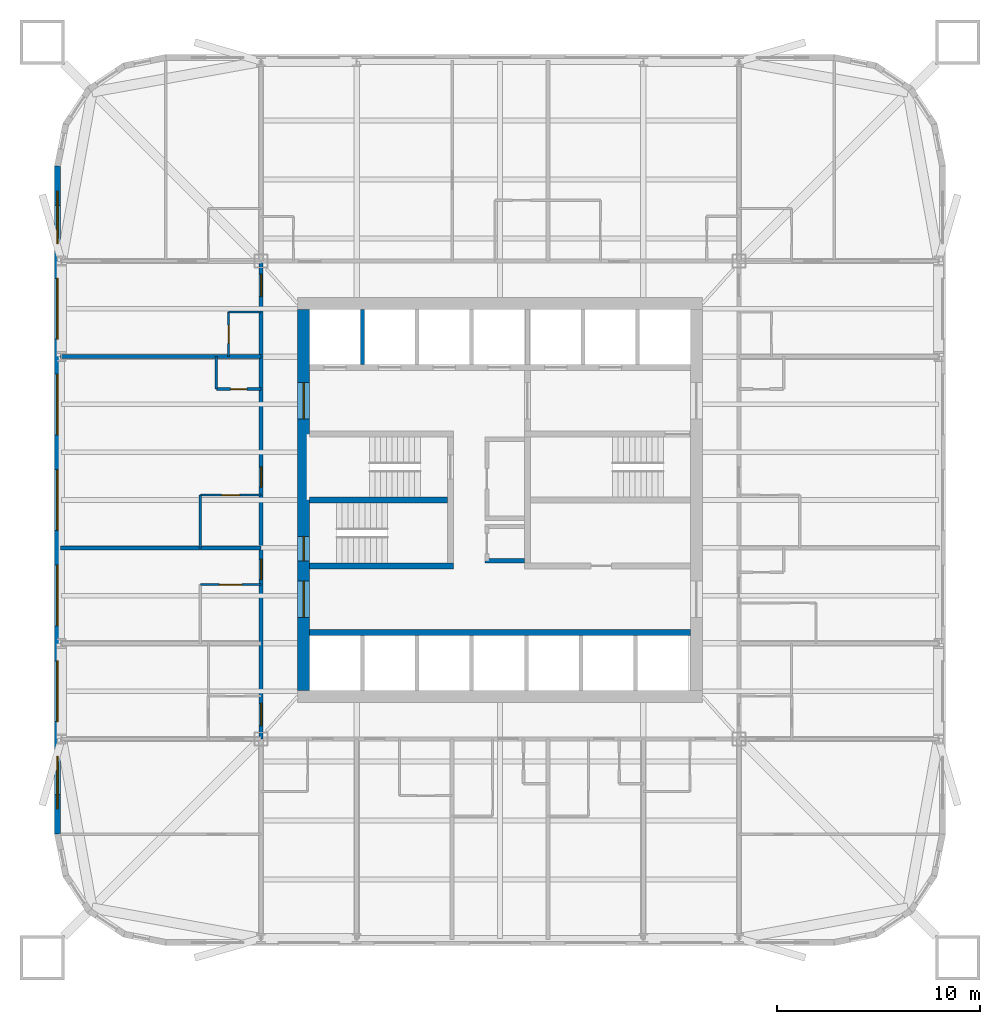
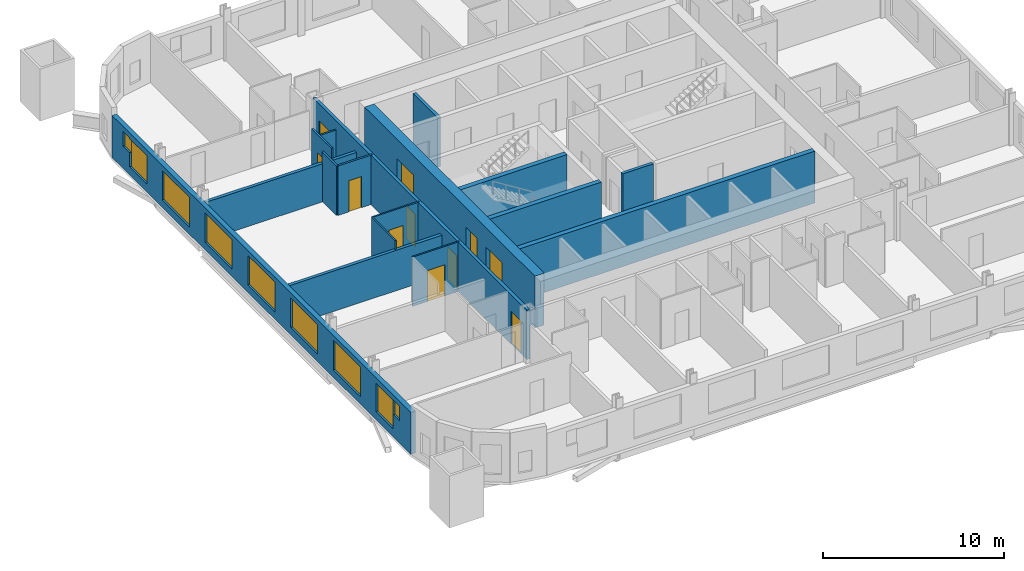
# One storey, part 4 of 10: 17 walls, 11 doors, 9 windows, 20 openings.
"""IFC4 building model written with IfcOpenShell, lengths in metres."""

from ifc_helpers import new_model, si_unit, direction, frame, frame_2d, origin, place, context, subcontext, project, spatial, rectangle, extrude, material, layer, layer_set, type_object, element, fill, save


model = new_model("IFC4")

# Units and contexts
model_context = context("Model", 3, precision=1e-05, world=origin(), true_north=direction((0.0, 1.0)))
body_context = subcontext(model_context, "Body", "Model", "MODEL_VIEW")
ifc_project = project(units=[si_unit("LENGTHUNIT", "METRE"), si_unit("AREAUNIT", "SQUARE_METRE"), si_unit("VOLUMEUNIT", "CUBIC_METRE"), si_unit("PLANEANGLEUNIT", "RADIAN"), si_unit("MASSUNIT", "GRAM", prefix="KILO")], contexts=[model_context])

# Site, building, storey
site_placement = place(None, origin())
site = spatial("IfcSite", under=ifc_project, at=site_placement, CompositionType="ELEMENT")
building_placement = place(site_placement, origin())
building = spatial("IfcBuilding", under=site, at=building_placement, Name="Turquesa Mirador Hotel Tower", CompositionType="ELEMENT")
storey_placement = place(building_placement, frame((0.0, 0.0, 77.5)))
storey = spatial("IfcBuildingStorey", under=building, at=storey_placement, Name="L20", CompositionType="ELEMENT", Elevation=77.5)

# Wall, opening, door
ifc_material_1 = material(Name="Gypsum board on steel studs", Category="steel")
ifc_layer_1 = layer(ifc_material_1, 0.10009765625)
ifc_layer_set_1 = layer_set([ifc_layer_1], Name="BATHROOM WALL 100")
wall_type_1 = type_object("IfcWallType", Name="BATHROOM WALL 100", PredefinedType="PARTITIONING", material=ifc_layer_set_1)
wall_1_placement = place(storey_placement, frame((40.199951171875, 40.820068359375, 0.0), z_axis=(0.0, 0.0, 1.0), x_axis=(1.0, 0.0, 0.0)))
wall_1 = element("IfcWall", 1, at=wall_1_placement, inside=storey, type_object=wall_type_1, Name="Partition L20 016", PredefinedType="PARTITIONING", context=body_context, shape_type="SweptSolid", body=[
    extrude(rectangle(XDim=3.0, YDim=0.10009765625, at=frame_2d((1.5, 0.0))), origin(), (0.0, 0.0, 1.0), 3.330078125),
])
opening_1_placement = place(wall_1_placement, frame((0.949951171875, 0.0, 0.0)))
opening_1 = element("IfcOpeningElement", 2, at=opening_1_placement, cuts=wall_1, Name="Opening D16", PredefinedType="OPENING", context=body_context, shape_type="SweptSolid", body=[
    extrude(rectangle(XDim=1.10009765625, YDim=2.10009765625, at=frame_2d((0.550048828125, 1.050048828125))), frame((0.0, 0.06005859375, 0.0), z_axis=(0.0, -1.0, 0.0), x_axis=(1.0, 0.0, 0.0)), (0.0, 0.0, 1.0), 0.1201171875),
])
ifc_material_2 = material(Name="Timber veneered sliding door", Category="wood")
door_type_1 = type_object("IfcDoorType", Name="DOOR 1100X2100 ACCESSIBLE EN-SUITE", OperationType="SLIDING_TO_LEFT", PredefinedType="DOOR", material=ifc_material_2)
door_1_placement = place(opening_1_placement, origin())
door_1 = element("IfcDoor", 3, at=door_1_placement, inside=storey, type_object=door_type_1, Name="Door 2010B", OperationType="SLIDING_TO_LEFT", OverallHeight=2.10009765625, OverallWidth=1.10009765625, PredefinedType="DOOR", context=body_context, shape_type="SweptSolid", body=[
    extrude(rectangle(XDim=1.10009765625, YDim=2.10009765625, at=frame_2d((0.550048828125, 1.050048828125))), frame((0.0, 0.02490234375, 0.0), z_axis=(0.0, -1.0, 0.0), x_axis=(1.0, 0.0, 0.0)), (0.0, 0.0, 1.0), 0.050048828125),
])
fill(opening_1, door_1)

wall_2_placement = place(storey_placement, frame((40.199951171875, 45.239990234375, 0.0), z_axis=(0.0, 0.0, 1.0), x_axis=(1.0, 0.0, 0.0)))
wall_2 = element("IfcWall", 4, at=wall_2_placement, inside=storey, type_object=wall_type_1, Name="Partition L20 022", PredefinedType="PARTITIONING", context=body_context, shape_type="SweptSolid", body=[
    extrude(rectangle(XDim=3.0, YDim=0.10009765625, at=frame_2d((1.5, 0.0))), origin(), (0.0, 0.0, 1.0), 3.330078125),
])
opening_2_placement = place(wall_2_placement, frame((1.050048828125, 0.0, 0.0)))
opening_2 = element("IfcOpeningElement", 5, at=opening_2_placement, cuts=wall_2, Name="Opening D02", PredefinedType="OPENING", context=body_context, shape_type="SweptSolid", body=[
    extrude(rectangle(XDim=0.89990234375, YDim=2.10009765625, at=frame_2d((0.449951171875, 1.050048828125))), frame((0.0, 0.06005859375, 0.0), z_axis=(0.0, -1.0, 0.0), x_axis=(1.0, 0.0, 0.0)), (0.0, 0.0, 1.0), 0.1201171875),
])
ifc_material_3 = material(Name="Timber veneered door", Category="wood")
door_type_2 = type_object("IfcDoorType", Name="DOOR 900X2100 EN-SUITE", OperationType="SINGLE_SWING_RIGHT", PredefinedType="DOOR", material=ifc_material_3)
door_2_placement = place(opening_2_placement, origin())
door_2 = element("IfcDoor", 6, at=door_2_placement, inside=storey, type_object=door_type_2, Name="Door 2011B", OperationType="SINGLE_SWING_RIGHT", OverallHeight=2.10009765625, OverallWidth=0.89990234375, PredefinedType="DOOR", context=body_context, shape_type="SweptSolid", body=[
    extrude(rectangle(XDim=0.89990234375, YDim=2.10009765625, at=frame_2d((0.449951171875, 1.050048828125))), frame((0.0, 0.02490234375, 0.0), z_axis=(0.0, -1.0, 0.0), x_axis=(1.0, 0.0, 0.0)), (0.0, 0.0, 1.0), 0.050048828125),
])
fill(opening_2, door_2)

# Wall
wall_3_placement = place(storey_placement, frame((41.60009765625, 54.280029296875, 0.0), z_axis=(0.0, 0.0, 1.0), x_axis=(1.0, 0.0, 0.0)))
element("IfcWall", 7, at=wall_3_placement, inside=storey, type_object=wall_type_1, Name="Partition L20 038", PredefinedType="PARTITIONING", context=body_context, shape_type="SweptSolid", body=[
    extrude(rectangle(XDim=1.599853515625, YDim=0.10009765625, at=frame_2d((0.7998046875, 0.0))), origin(), (0.0, 0.0, 1.0), 2.722900390625),
])

# Wall, opening, door
wall_4_placement = place(storey_placement, frame((41.60009765625, 52.080078125, 0.0), z_axis=(0.0, 0.0, 1.0), x_axis=(0.0, 1.0, 0.0)))
wall_4 = element("IfcWall", 8, at=wall_4_placement, inside=storey, type_object=wall_type_1, Name="Partition L20 046", PredefinedType="PARTITIONING", context=body_context, shape_type="SweptSolid", body=[
    extrude(rectangle(XDim=2.199951171875, YDim=0.10009765625, at=frame_2d((1.10009765625, 0.0))), origin(), (0.0, 0.0, 1.0), 3.330078125),
])
opening_3_placement = place(wall_4_placement, frame((0.64990234375, 0.0, 0.0)))
opening_3 = element("IfcOpeningElement", 9, at=opening_3_placement, cuts=wall_4, Name="Opening D06", PredefinedType="OPENING", context=body_context, shape_type="SweptSolid", body=[
    extrude(rectangle(XDim=0.89990234375, YDim=2.10009765625, at=frame_2d((0.449951171875, 1.050048828125))), frame((0.0, 0.06005859375, 0.0), z_axis=(0.0, -1.0, 0.0), x_axis=(1.0, 0.0, 0.0)), (0.0, 0.0, 1.0), 0.1201171875),
])
ifc_material_4 = material(Name="Laminate door", Category="wood")
door_type_3 = type_object("IfcDoorType", Name="DOOR 900X2100 WC", OperationType="SINGLE_SWING_LEFT", PredefinedType="DOOR", material=ifc_material_4)
door_3_placement = place(opening_3_placement, origin())
door_3 = element("IfcDoor", 10, at=door_3_placement, inside=storey, type_object=door_type_3, Name="Door 2013W", OperationType="SINGLE_SWING_LEFT", OverallHeight=2.10009765625, OverallWidth=0.89990234375, PredefinedType="DOOR", context=body_context, shape_type="SweptSolid", body=[
    extrude(rectangle(XDim=0.89990234375, YDim=2.10009765625, at=frame_2d((0.449951171875, 1.050048828125))), frame((0.0, 0.02490234375, 0.0), z_axis=(0.0, -1.0, 0.0), x_axis=(1.0, 0.0, 0.0)), (0.0, 0.0, 1.0), 0.050048828125),
])
fill(opening_3, door_3)

# Walls
wall_5_placement = place(storey_placement, frame((40.199951171875, 42.639892578125, 0.0), z_axis=(0.0, 0.0, 1.0), x_axis=(0.0, 1.0, 0.0)))
element("IfcWall", 11, at=wall_5_placement, inside=storey, type_object=wall_type_1, Name="Partition L20 052", PredefinedType="PARTITIONING", context=body_context, shape_type="SweptSolid", body=[
    extrude(rectangle(XDim=2.60009765625, YDim=0.10009765625, at=frame_2d((1.300048828125, 0.0))), origin(), (0.0, 0.0, 1.0), 3.330078125),
])
ifc_material_5 = material(Name="Concrete C50/60", Category="concrete")
ifc_layer_2 = layer(ifc_material_5, 0.300048828125)
ifc_layer_set_2 = layer_set([ifc_layer_2], Name="CORE INNER WALL 300")
wall_type_2 = type_object("IfcWallType", Name="CORE INNER WALL 300", PredefinedType="SHEAR", material=ifc_layer_set_2)
wall_6_placement = place(storey_placement, frame((45.60009765625, 38.449951171875, 0.0), z_axis=(0.0, 0.0, 1.0), x_axis=(1.0, 0.0, 0.0)))
element("IfcWall", 12, at=wall_6_placement, inside=storey, type_object=wall_type_2, Name="Core wall SL", PredefinedType="SHEAR", context=body_context, shape_type="SweptSolid", body=[
    extrude(rectangle(XDim=18.7998046875, YDim=0.300048828125, at=frame_2d((9.39990234375, 0.0))), origin(), (0.0, 0.0, 1.0), 3.5),
])
wall_7_placement = place(storey_placement, frame((45.60009765625, 41.75, 0.0), z_axis=(0.0, 0.0, 1.0), x_axis=(1.0, 0.0, 0.0)))
element("IfcWall", 13, at=wall_7_placement, inside=storey, type_object=wall_type_2, Name="Core wall MS-W", PredefinedType="SHEAR", context=body_context, shape_type="SweptSolid", body=[
    extrude(rectangle(XDim=7.099853515625, YDim=0.300048828125, at=frame_2d((3.5498046875, 0.0))), origin(), (0.0, 0.0, 1.0), 3.5),
])
wall_8_placement = place(storey_placement, frame((45.60009765625, 45.0, 0.0), z_axis=(0.0, 0.0, 1.0), x_axis=(1.0, 0.0, 0.0)))
element("IfcWall", 14, at=wall_8_placement, inside=storey, type_object=wall_type_2, Name="Core wall M0-W", PredefinedType="SHEAR", context=body_context, shape_type="SweptSolid", body=[
    extrude(rectangle(XDim=6.7998046875, YDim=0.300048828125, at=frame_2d((3.39990234375, 0.0))), origin(), (0.0, 0.0, 1.0), 3.5),
])

# Wall, openings, doors
ifc_material_6 = material(Name="Concrete C50/60", Category="concrete")
ifc_layer_3 = layer(ifc_material_6, 0.60009765625)
ifc_layer_set_3 = layer_set([ifc_layer_3], Name="CORE WALL 600")
wall_type_3 = type_object("IfcWallType", Name="CORE WALL 600", PredefinedType="SHEAR", material=ifc_layer_set_3)
wall_9_placement = place(storey_placement, frame((45.300048828125, 35.60009765625, 0.0), z_axis=(0.0, 0.0, 1.0), x_axis=(0.0, 1.0, 0.0)))
wall_9 = element("IfcWall", 15, at=wall_9_placement, inside=storey, type_object=wall_type_3, Name="Core wall W", PredefinedType="SHEAR", context=body_context, shape_type="SweptSolid", body=[
    extrude(rectangle(XDim=18.7998046875, YDim=0.60009765625, at=frame_2d((9.39990234375, 0.0))), origin(), (0.0, 0.0, 1.0), 3.5),
])
opening_4_placement = place(wall_9_placement, frame((13.39990234375, 0.0, 0.0)))
opening_4 = element("IfcOpeningElement", 16, at=opening_4_placement, cuts=wall_9, Name="Opening D04", PredefinedType="OPENING", context=body_context, shape_type="SweptSolid", body=[
    extrude(rectangle(XDim=1.800048828125, YDim=2.199951171875, at=frame_2d((0.89990234375, 1.10009765625))), frame((0.0, 0.31005859375, 0.0), z_axis=(0.0, -1.0, 0.0), x_axis=(1.0, 0.0, 0.0)), (0.0, 0.0, 1.0), 0.6201171875),
])
opening_5_placement = place(wall_9_placement, frame((3.60009765625, 0.0, 0.0)))
opening_5 = element("IfcOpeningElement", 17, at=opening_5_placement, cuts=wall_9, Name="Opening D04", PredefinedType="OPENING", context=body_context, shape_type="SweptSolid", body=[
    extrude(rectangle(XDim=1.800048828125, YDim=2.199951171875, at=frame_2d((0.89990234375, 1.10009765625))), frame((0.0, 0.31005859375, 0.0), z_axis=(0.0, -1.0, 0.0), x_axis=(1.0, 0.0, 0.0)), (0.0, 0.0, 1.0), 0.6201171875),
])
opening_6_placement = place(wall_9_placement, frame((6.39990234375, 0.0, 0.0)))
opening_6 = element("IfcOpeningElement", 18, at=opening_6_placement, cuts=wall_9, Name="Opening D03", PredefinedType="OPENING", context=body_context, shape_type="SweptSolid", body=[
    extrude(rectangle(XDim=1.199951171875, YDim=2.199951171875, at=frame_2d((0.60009765625, 1.10009765625))), frame((0.0, 0.31005859375, 0.0), z_axis=(0.0, -1.0, 0.0), x_axis=(1.0, 0.0, 0.0)), (0.0, 0.0, 1.0), 0.6201171875),
])
ifc_material_7 = material(Name="Steel fire door", Category="steel")
door_type_4 = type_object("IfcDoorType", Name="DOOR 1200X2200 STAIR", OperationType="SINGLE_SWING_LEFT", PredefinedType="DOOR", material=ifc_material_7)
door_4_placement = place(opening_6_placement, origin())
door_4 = element("IfcDoor", 19, at=door_4_placement, inside=storey, type_object=door_type_4, Name="Stair ST2 door", OperationType="SINGLE_SWING_LEFT", OverallHeight=2.199951171875, OverallWidth=1.199951171875, PredefinedType="DOOR", context=body_context, shape_type="SweptSolid", body=[
    extrude(rectangle(XDim=1.199951171875, YDim=2.199951171875, at=frame_2d((0.60009765625, 1.10009765625))), frame((0.0, 0.02490234375, 0.0), z_axis=(0.0, -1.0, 0.0), x_axis=(1.0, 0.0, 0.0)), (0.0, 0.0, 1.0), 0.050048828125),
])
fill(opening_6, door_4)
ifc_material_8 = material(Name="Steel fire door pair", Category="steel")
door_type_5 = type_object("IfcDoorType", Name="DOOR 1800X2200 PAIR", OperationType="DOUBLE_DOOR_SINGLE_SWING", PredefinedType="DOOR", material=ifc_material_8)
door_5_placement = place(opening_4_placement, origin())
door_5 = element("IfcDoor", 20, at=door_5_placement, inside=storey, type_object=door_type_5, Name="North lift lobby door", OperationType="DOUBLE_DOOR_SINGLE_SWING", OverallHeight=2.199951171875, OverallWidth=1.800048828125, PredefinedType="DOOR", context=body_context, shape_type="SweptSolid", body=[
    extrude(rectangle(XDim=1.800048828125, YDim=2.199951171875, at=frame_2d((0.89990234375, 1.10009765625))), frame((0.0, 0.02490234375, 0.0), z_axis=(0.0, -1.0, 0.0), x_axis=(1.0, 0.0, 0.0)), (0.0, 0.0, 1.0), 0.050048828125),
])
fill(opening_4, door_5)
door_6_placement = place(opening_5_placement, origin())
door_6 = element("IfcDoor", 21, at=door_6_placement, inside=storey, type_object=door_type_5, Name="South lift lobby door", OperationType="DOUBLE_DOOR_SINGLE_SWING", OverallHeight=2.199951171875, OverallWidth=1.800048828125, PredefinedType="DOOR", context=body_context, shape_type="SweptSolid", body=[
    extrude(rectangle(XDim=1.800048828125, YDim=2.199951171875, at=frame_2d((0.89990234375, 1.10009765625))), frame((0.0, 0.02490234375, 0.0), z_axis=(0.0, -1.0, 0.0), x_axis=(1.0, 0.0, 0.0)), (0.0, 0.0, 1.0), 0.050048828125),
])
fill(opening_5, door_6)

ifc_material_9 = material(Name="Fire-rated gypsum board on steel studs", Category="steel")
ifc_layer_4 = layer(ifc_material_9, 0.199951171875)
ifc_layer_set_4 = layer_set([ifc_layer_4], Name="CORRIDOR WALL 200")
wall_type_4 = type_object("IfcWallType", Name="CORRIDOR WALL 200", PredefinedType="PARTITIONING", material=ifc_layer_set_4)
wall_10_placement = place(storey_placement, frame((43.199951171875, 33.199951171875, 0.0), z_axis=(0.0, 0.0, 1.0), x_axis=(0.0, 1.0, 0.0)))
wall_10 = element("IfcWall", 22, at=wall_10_placement, inside=storey, type_object=wall_type_4, Name="Partition L20 043", PredefinedType="PARTITIONING", context=body_context, shape_type="SweptSolid", body=[
    extrude(rectangle(XDim=23.60009765625, YDim=0.199951171875, at=frame_2d((11.800048828125, 0.0))), origin(), (0.0, 0.0, 1.0), 3.330078125),
])
opening_7_placement = place(wall_10_placement, frame((7.8701171875, 0.0, 0.0)))
opening_7 = element("IfcOpeningElement", 23, at=opening_7_placement, cuts=wall_10, Name="Opening D01", PredefinedType="OPENING", context=body_context, shape_type="SweptSolid", body=[
    extrude(rectangle(XDim=1.0, YDim=2.199951171875, at=frame_2d((0.5, 1.10009765625))), frame((0.0, 0.10986328125, 0.0), z_axis=(0.0, -1.0, 0.0), x_axis=(1.0, 0.0, 0.0)), (0.0, 0.0, 1.0), 0.219970703125),
])
opening_8_placement = place(wall_10_placement, frame((12.43994140625, 0.0, 0.0)))
opening_8 = element("IfcOpeningElement", 24, at=opening_8_placement, cuts=wall_10, Name="Opening D01", PredefinedType="OPENING", context=body_context, shape_type="SweptSolid", body=[
    extrude(rectangle(XDim=1.0, YDim=2.199951171875, at=frame_2d((0.5, 1.10009765625))), frame((0.0, 0.10986328125, 0.0), z_axis=(0.0, -1.0, 0.0), x_axis=(1.0, 0.0, 0.0)), (0.0, 0.0, 1.0), 0.219970703125),
])
opening_9_placement = place(wall_10_placement, frame((21.85009765625, 0.0, 0.0)))
opening_9 = element("IfcOpeningElement", 25, at=opening_9_placement, cuts=wall_10, Name="Opening D15", PredefinedType="OPENING", context=body_context, shape_type="SweptSolid", body=[
    extrude(rectangle(XDim=1.10009765625, YDim=2.199951171875, at=frame_2d((0.550048828125, 1.10009765625))), frame((0.0, 0.10986328125, 0.0), z_axis=(0.0, -1.0, 0.0), x_axis=(1.0, 0.0, 0.0)), (0.0, 0.0, 1.0), 0.219970703125),
])
opening_10_placement = place(wall_10_placement, frame((0.659912109375, 0.0, 0.0)))
opening_10 = element("IfcOpeningElement", 26, at=opening_10_placement, cuts=wall_10, Name="Opening D15", PredefinedType="OPENING", context=body_context, shape_type="SweptSolid", body=[
    extrude(rectangle(XDim=1.10009765625, YDim=2.199951171875, at=frame_2d((0.550048828125, 1.10009765625))), frame((0.0, 0.10986328125, 0.0), z_axis=(0.0, -1.0, 0.0), x_axis=(1.0, 0.0, 0.0)), (0.0, 0.0, 1.0), 0.219970703125),
])
ifc_material_10 = material(Name="Timber veneered fire door", Category="wood")
door_type_6 = type_object("IfcDoorType", Name="DOOR 1000X2200 GUEST ENTRY", OperationType="SINGLE_SWING_LEFT", PredefinedType="DOOR", material=ifc_material_10)
door_7_placement = place(opening_7_placement, origin())
door_7 = element("IfcDoor", 27, at=door_7_placement, inside=storey, type_object=door_type_6, Name="Door 2010", OperationType="SINGLE_SWING_LEFT", OverallHeight=2.199951171875, OverallWidth=1.0, PredefinedType="DOOR", context=body_context, shape_type="SweptSolid", body=[
    extrude(rectangle(XDim=1.0, YDim=2.199951171875, at=frame_2d((0.5, 1.10009765625))), frame((0.0, 0.02490234375, 0.0), z_axis=(0.0, -1.0, 0.0), x_axis=(1.0, 0.0, 0.0)), (0.0, 0.0, 1.0), 0.050048828125),
])
fill(opening_7, door_7)
door_8_placement = place(opening_8_placement, origin())
door_8 = element("IfcDoor", 28, at=door_8_placement, inside=storey, type_object=door_type_6, Name="Door 2011", OperationType="SINGLE_SWING_LEFT", OverallHeight=2.199951171875, OverallWidth=1.0, PredefinedType="DOOR", context=body_context, shape_type="SweptSolid", body=[
    extrude(rectangle(XDim=1.0, YDim=2.199951171875, at=frame_2d((0.5, 1.10009765625))), frame((0.0, 0.02490234375, 0.0), z_axis=(0.0, -1.0, 0.0), x_axis=(1.0, 0.0, 0.0)), (0.0, 0.0, 1.0), 0.050048828125),
])
fill(opening_8, door_8)
ifc_material_11 = material(Name="Timber veneered fire door", Category="wood")
door_type_7 = type_object("IfcDoorType", Name="DOOR 1100X2200 SUITE ENTRY", OperationType="SINGLE_SWING_LEFT", PredefinedType="DOOR", material=ifc_material_11)
door_9_placement = place(opening_9_placement, origin())
door_9 = element("IfcDoor", 29, at=door_9_placement, inside=storey, type_object=door_type_7, Name="Door 2013", OperationType="SINGLE_SWING_LEFT", OverallHeight=2.199951171875, OverallWidth=1.10009765625, PredefinedType="DOOR", context=body_context, shape_type="SweptSolid", body=[
    extrude(rectangle(XDim=1.10009765625, YDim=2.199951171875, at=frame_2d((0.550048828125, 1.10009765625))), frame((0.0, 0.02490234375, 0.0), z_axis=(0.0, -1.0, 0.0), x_axis=(1.0, 0.0, 0.0)), (0.0, 0.0, 1.0), 0.050048828125),
])
fill(opening_9, door_9)
door_10_placement = place(opening_10_placement, origin())
door_10 = element("IfcDoor", 30, at=door_10_placement, inside=storey, type_object=door_type_7, Name="Door 2014H", OperationType="SINGLE_SWING_LEFT", OverallHeight=2.199951171875, OverallWidth=1.10009765625, PredefinedType="DOOR", context=body_context, shape_type="SweptSolid", body=[
    extrude(rectangle(XDim=1.10009765625, YDim=2.199951171875, at=frame_2d((0.550048828125, 1.10009765625))), frame((0.0, 0.02490234375, 0.0), z_axis=(0.0, -1.0, 0.0), x_axis=(1.0, 0.0, 0.0)), (0.0, 0.0, 1.0), 0.050048828125),
])
fill(opening_10, door_10)

# Wall, openings, windows
ifc_material_12 = material(Name="Limestone cladding on concrete block", Category="masonry")
ifc_layer_5 = layer(ifc_material_12, 0.300048828125)
ifc_layer_set_5 = layer_set([ifc_layer_5], Name="FACADE WALL 300 STONE SCREEN")
wall_type_5 = type_object("IfcWallType", Name="FACADE WALL 300 STONE SCREEN", PredefinedType="SOLIDWALL", material=ifc_layer_set_5)
wall_11_placement = place(storey_placement, frame((33.14990234375, 61.5, 0.0), z_axis=(0.0, 0.0, 1.0), x_axis=(0.0, -1.0, 0.0)))
wall_11 = element("IfcWall", 31, at=wall_11_placement, inside=storey, type_object=wall_type_5, Name="Facade wall L20 14", PredefinedType="SOLIDWALL", context=body_context, shape_type="SweptSolid", body=[
    extrude(rectangle(XDim=33.0, YDim=0.300048828125, at=frame_2d((16.5, 0.0))), origin(), (0.0, 0.0, 1.0), 2.830078125),
])
opening_11_placement = place(wall_11_placement, frame((1.949951171875, 0.0, 0.550048828125)))
opening_11 = element("IfcOpeningElement", 32, at=opening_11_placement, cuts=wall_11, Name="Opening WN48", PredefinedType="OPENING", context=body_context, shape_type="SweptSolid", body=[
    extrude(rectangle(XDim=1.89990234375, YDim=1.89990234375, at=frame_2d((0.949951171875, 0.949951171875))), frame((0.0, 0.159912109375, 0.0), z_axis=(0.0, -1.0, 0.0), x_axis=(1.0, 0.0, 0.0)), (0.0, 0.0, 1.0), 0.320068359375),
])
opening_12_placement = place(wall_11_placement, frame((5.56005859375, 0.0, 0.5)))
opening_12 = element("IfcOpeningElement", 33, at=opening_12_placement, cuts=wall_11, Name="Opening WN1", PredefinedType="OPENING", context=body_context, shape_type="SweptSolid", body=[
    extrude(rectangle(XDim=3.0, YDim=2.0, at=frame_2d((1.5, 1.0))), frame((0.0, 0.159912109375, 0.0), z_axis=(0.0, -1.0, 0.0), x_axis=(1.0, 0.0, 0.0)), (0.0, 0.0, 1.0), 0.320068359375),
])
opening_13_placement = place(wall_11_placement, frame((10.280029296875, 0.0, 0.5)))
opening_13 = element("IfcOpeningElement", 34, at=opening_13_placement, cuts=wall_11, Name="Opening WN1", PredefinedType="OPENING", context=body_context, shape_type="SweptSolid", body=[
    extrude(rectangle(XDim=3.0, YDim=2.0, at=frame_2d((1.5, 1.0))), frame((0.0, 0.159912109375, 0.0), z_axis=(0.0, -1.0, 0.0), x_axis=(1.0, 0.0, 0.0)), (0.0, 0.0, 1.0), 0.320068359375),
])
opening_14_placement = place(wall_11_placement, frame((15.0, 0.0, 0.5)))
opening_14 = element("IfcOpeningElement", 35, at=opening_14_placement, cuts=wall_11, Name="Opening WN1", PredefinedType="OPENING", context=body_context, shape_type="SweptSolid", body=[
    extrude(rectangle(XDim=3.0, YDim=2.0, at=frame_2d((1.5, 1.0))), frame((0.0, 0.159912109375, 0.0), z_axis=(0.0, -1.0, 0.0), x_axis=(1.0, 0.0, 0.0)), (0.0, 0.0, 1.0), 0.320068359375),
])
opening_15_placement = place(wall_11_placement, frame((19.719970703125, 0.0, 0.5)))
opening_15 = element("IfcOpeningElement", 36, at=opening_15_placement, cuts=wall_11, Name="Opening WN1", PredefinedType="OPENING", context=body_context, shape_type="SweptSolid", body=[
    extrude(rectangle(XDim=3.0, YDim=2.0, at=frame_2d((1.5, 1.0))), frame((0.0, 0.159912109375, 0.0), z_axis=(0.0, -1.0, 0.0), x_axis=(1.0, 0.0, 0.0)), (0.0, 0.0, 1.0), 0.320068359375),
])
opening_16_placement = place(wall_11_placement, frame((24.43994140625, 0.0, 0.5)))
opening_16 = element("IfcOpeningElement", 37, at=opening_16_placement, cuts=wall_11, Name="Opening WN1", PredefinedType="OPENING", context=body_context, shape_type="SweptSolid", body=[
    extrude(rectangle(XDim=3.0, YDim=2.0, at=frame_2d((1.5, 1.0))), frame((0.0, 0.159912109375, 0.0), z_axis=(0.0, -1.0, 0.0), x_axis=(1.0, 0.0, 0.0)), (0.0, 0.0, 1.0), 0.320068359375),
])
opening_17_placement = place(wall_11_placement, frame((29.14990234375, 0.0, 0.550048828125)))
opening_17 = element("IfcOpeningElement", 38, at=opening_17_placement, cuts=wall_11, Name="Opening WN48", PredefinedType="OPENING", context=body_context, shape_type="SweptSolid", body=[
    extrude(rectangle(XDim=1.89990234375, YDim=1.89990234375, at=frame_2d((0.949951171875, 0.949951171875))), frame((0.0, 0.159912109375, 0.0), z_axis=(0.0, -1.0, 0.0), x_axis=(1.0, 0.0, 0.0)), (0.0, 0.0, 1.0), 0.320068359375),
])
opening_18_placement = place(wall_11_placement, frame((1.25, 0.0, 1.5)))
opening_18 = element("IfcOpeningElement", 39, at=opening_18_placement, cuts=wall_11, Name="Opening WN32", PredefinedType="OPENING", context=body_context, shape_type="SweptSolid", body=[
    extrude(rectangle(XDim=0.699951171875, YDim=1.0, at=frame_2d((0.35009765625, 0.5))), frame((0.0, 0.159912109375, 0.0), z_axis=(0.0, -1.0, 0.0), x_axis=(1.0, 0.0, 0.0)), (0.0, 0.0, 1.0), 0.320068359375),
])
opening_19_placement = place(wall_11_placement, frame((31.050048828125, 0.0, 1.5)))
opening_19 = element("IfcOpeningElement", 40, at=opening_19_placement, cuts=wall_11, Name="Opening WN32", PredefinedType="OPENING", context=body_context, shape_type="SweptSolid", body=[
    extrude(rectangle(XDim=0.699951171875, YDim=1.0, at=frame_2d((0.35009765625, 0.5))), frame((0.0, 0.159912109375, 0.0), z_axis=(0.0, -1.0, 0.0), x_axis=(1.0, 0.0, 0.0)), (0.0, 0.0, 1.0), 0.320068359375),
])
ifc_material_13 = material(Name="Ceramic-fritted laminated glass", Category="glass")
window_type_1 = type_object("IfcWindowType", Name="FRITTED WINDOW 1900X1900", PartitioningType="DOUBLE_PANEL_HORIZONTAL", PredefinedType="WINDOW", material=ifc_material_13)
window_1_placement = place(opening_11_placement, origin())
window_1 = element("IfcWindow", 41, at=window_1_placement, inside=storey, type_object=window_type_1, Name="Window L20", OverallHeight=1.89990234375, OverallWidth=1.89990234375, PartitioningType="SINGLE_PANEL", PredefinedType="WINDOW", context=body_context, shape_type="SweptSolid", body=[
    extrude(rectangle(XDim=1.89990234375, YDim=1.89990234375, at=frame_2d((0.949951171875, 0.949951171875))), frame((0.0, 0.030029296875, 0.0), z_axis=(0.0, -1.0, 0.0), x_axis=(1.0, 0.0, 0.0)), (0.0, 0.0, 1.0), 0.06005859375),
])
fill(opening_11, window_1)
window_2_placement = place(opening_17_placement, origin())
window_2 = element("IfcWindow", 42, at=window_2_placement, inside=storey, type_object=window_type_1, Name="Window L20", OverallHeight=1.89990234375, OverallWidth=1.89990234375, PartitioningType="SINGLE_PANEL", PredefinedType="WINDOW", context=body_context, shape_type="SweptSolid", body=[
    extrude(rectangle(XDim=1.89990234375, YDim=1.89990234375, at=frame_2d((0.949951171875, 0.949951171875))), frame((0.0, 0.030029296875, 0.0), z_axis=(0.0, -1.0, 0.0), x_axis=(1.0, 0.0, 0.0)), (0.0, 0.0, 1.0), 0.06005859375),
])
fill(opening_17, window_2)
ifc_material_14 = material(Name="Ceramic-fritted laminated glass", Category="glass")
window_type_2 = type_object("IfcWindowType", Name="FRITTED WINDOW 3000X2000", PartitioningType="DOUBLE_PANEL_HORIZONTAL", PredefinedType="WINDOW", material=ifc_material_14)
window_3_placement = place(opening_12_placement, origin())
window_3 = element("IfcWindow", 43, at=window_3_placement, inside=storey, type_object=window_type_2, Name="Window L20", OverallHeight=2.0, OverallWidth=3.0, PartitioningType="SINGLE_PANEL", PredefinedType="WINDOW", context=body_context, shape_type="SweptSolid", body=[
    extrude(rectangle(XDim=3.0, YDim=2.0, at=frame_2d((1.5, 1.0))), frame((0.0, 0.030029296875, 0.0), z_axis=(0.0, -1.0, 0.0), x_axis=(1.0, 0.0, 0.0)), (0.0, 0.0, 1.0), 0.06005859375),
])
fill(opening_12, window_3)
window_4_placement = place(opening_13_placement, origin())
window_4 = element("IfcWindow", 44, at=window_4_placement, inside=storey, type_object=window_type_2, Name="Window L20", OverallHeight=2.0, OverallWidth=3.0, PartitioningType="SINGLE_PANEL", PredefinedType="WINDOW", context=body_context, shape_type="SweptSolid", body=[
    extrude(rectangle(XDim=3.0, YDim=2.0, at=frame_2d((1.5, 1.0))), frame((0.0, 0.030029296875, 0.0), z_axis=(0.0, -1.0, 0.0), x_axis=(1.0, 0.0, 0.0)), (0.0, 0.0, 1.0), 0.06005859375),
])
fill(opening_13, window_4)
window_5_placement = place(opening_14_placement, origin())
window_5 = element("IfcWindow", 45, at=window_5_placement, inside=storey, type_object=window_type_2, Name="Window L20", OverallHeight=2.0, OverallWidth=3.0, PartitioningType="SINGLE_PANEL", PredefinedType="WINDOW", context=body_context, shape_type="SweptSolid", body=[
    extrude(rectangle(XDim=3.0, YDim=2.0, at=frame_2d((1.5, 1.0))), frame((0.0, 0.030029296875, 0.0), z_axis=(0.0, -1.0, 0.0), x_axis=(1.0, 0.0, 0.0)), (0.0, 0.0, 1.0), 0.06005859375),
])
fill(opening_14, window_5)
window_6_placement = place(opening_15_placement, origin())
window_6 = element("IfcWindow", 46, at=window_6_placement, inside=storey, type_object=window_type_2, Name="Window L20", OverallHeight=2.0, OverallWidth=3.0, PartitioningType="SINGLE_PANEL", PredefinedType="WINDOW", context=body_context, shape_type="SweptSolid", body=[
    extrude(rectangle(XDim=3.0, YDim=2.0, at=frame_2d((1.5, 1.0))), frame((0.0, 0.030029296875, 0.0), z_axis=(0.0, -1.0, 0.0), x_axis=(1.0, 0.0, 0.0)), (0.0, 0.0, 1.0), 0.06005859375),
])
fill(opening_15, window_6)
window_7_placement = place(opening_16_placement, origin())
window_7 = element("IfcWindow", 47, at=window_7_placement, inside=storey, type_object=window_type_2, Name="Window L20", OverallHeight=2.0, OverallWidth=3.0, PartitioningType="SINGLE_PANEL", PredefinedType="WINDOW", context=body_context, shape_type="SweptSolid", body=[
    extrude(rectangle(XDim=3.0, YDim=2.0, at=frame_2d((1.5, 1.0))), frame((0.0, 0.030029296875, 0.0), z_axis=(0.0, -1.0, 0.0), x_axis=(1.0, 0.0, 0.0)), (0.0, 0.0, 1.0), 0.06005859375),
])
fill(opening_16, window_7)
ifc_material_15 = material(Name="Ceramic-fritted laminated glass", Category="glass")
window_type_3 = type_object("IfcWindowType", Name="FRITTED WINDOW 700X1000", PartitioningType="DOUBLE_PANEL_HORIZONTAL", PredefinedType="WINDOW", material=ifc_material_15)
window_8_placement = place(opening_18_placement, origin())
window_8 = element("IfcWindow", 48, at=window_8_placement, inside=storey, type_object=window_type_3, Name="Window L20", OverallHeight=1.0, OverallWidth=0.699951171875, PartitioningType="SINGLE_PANEL", PredefinedType="WINDOW", context=body_context, shape_type="SweptSolid", body=[
    extrude(rectangle(XDim=0.699951171875, YDim=1.0, at=frame_2d((0.35009765625, 0.5))), frame((0.0, 0.030029296875, 0.0), z_axis=(0.0, -1.0, 0.0), x_axis=(1.0, 0.0, 0.0)), (0.0, 0.0, 1.0), 0.06005859375),
])
fill(opening_18, window_8)
window_9_placement = place(opening_19_placement, origin())
window_9 = element("IfcWindow", 49, at=window_9_placement, inside=storey, type_object=window_type_3, Name="Window L20", OverallHeight=1.0, OverallWidth=0.699951171875, PartitioningType="SINGLE_PANEL", PredefinedType="WINDOW", context=body_context, shape_type="SweptSolid", body=[
    extrude(rectangle(XDim=0.699951171875, YDim=1.0, at=frame_2d((0.35009765625, 0.5))), frame((0.0, 0.030029296875, 0.0), z_axis=(0.0, -1.0, 0.0), x_axis=(1.0, 0.0, 0.0)), (0.0, 0.0, 1.0), 0.06005859375),
])
fill(opening_19, window_9)

# Walls
ifc_material_16 = material(Name="Fire-rated gypsum board on steel studs", Category="steel")
ifc_layer_6 = layer(ifc_material_16, 0.199951171875)
ifc_layer_set_6 = layer_set([ifc_layer_6], Name="FIRE PARTITION 200")
wall_type_6 = type_object("IfcWallType", Name="FIRE PARTITION 200", PredefinedType="PARTITIONING", material=ifc_layer_set_6)
wall_12_placement = place(storey_placement, frame((54.25, 42.0, 0.0), z_axis=(0.0, 0.0, 1.0), x_axis=(1.0, 0.0, 0.0)))
element("IfcWall", 50, at=wall_12_placement, inside=storey, type_object=wall_type_6, Name="Partition L20 SW S", PredefinedType="PARTITIONING", context=body_context, shape_type="SweptSolid", body=[
    extrude(rectangle(XDim=1.949951171875, YDim=0.199951171875, at=frame_2d((0.97509765625, 0.0))), origin(), (0.0, 0.0, 1.0), 3.330078125),
])
ifc_material_17 = material(Name="Fire-rated gypsum shaft wall on steel studs", Category="steel")
ifc_layer_7 = layer(ifc_material_17, 0.199951171875)
ifc_layer_set_7 = layer_set([ifc_layer_7], Name="LIFT SHAFT DIVIDER 200")
wall_type_7 = type_object("IfcWallType", Name="LIFT SHAFT DIVIDER 200", PredefinedType="PARTITIONING", material=ifc_layer_set_7)
wall_13_placement = place(storey_placement, frame((48.199951171875, 51.699951171875, 0.0), z_axis=(0.0, 0.0, 1.0), x_axis=(0.0, 1.0, 0.0)))
element("IfcWall", 51, at=wall_13_placement, inside=storey, type_object=wall_type_7, Name="Lift shaft divider", PredefinedType="PARTITIONING", context=body_context, shape_type="SweptSolid", body=[
    extrude(rectangle(XDim=2.699951171875, YDim=0.199951171875, at=frame_2d((1.35009765625, 0.0))), origin(), (0.0, 0.0, 1.0), 3.330078125),
])
ifc_material_18 = material(Name="Fire-rated gypsum board on steel studs", Category="steel")
ifc_layer_8 = layer(ifc_material_18, 0.199951171875)
ifc_layer_set_8 = layer_set([ifc_layer_8], Name="PARTY WALL 200")
wall_type_8 = type_object("IfcWallType", Name="PARTY WALL 200", PredefinedType="PARTITIONING", material=ifc_layer_set_8)
wall_14_placement = place(storey_placement, frame((33.300048828125, 42.639892578125, 0.0), z_axis=(0.0, 0.0, 1.0), x_axis=(1.0, 0.0, 0.0)))
element("IfcWall", 52, at=wall_14_placement, inside=storey, type_object=wall_type_8, Name="Partition L20 013", PredefinedType="PARTITIONING", context=body_context, shape_type="SweptSolid", body=[
    extrude(rectangle(XDim=9.89990234375, YDim=0.199951171875, at=frame_2d((4.949951171875, 0.0))), origin(), (0.0, 0.0, 1.0), 2.722900390625),
])
wall_15_placement = place(storey_placement, frame((33.300048828125, 52.080078125, 0.0), z_axis=(0.0, 0.0, 1.0), x_axis=(1.0, 0.0, 0.0)))
element("IfcWall", 53, at=wall_15_placement, inside=storey, type_object=wall_type_8, Name="Partition L20 036", PredefinedType="PARTITIONING", context=body_context, shape_type="SweptSolid", body=[
    extrude(rectangle(XDim=9.89990234375, YDim=0.199951171875, at=frame_2d((4.949951171875, 0.0))), origin(), (0.0, 0.0, 1.0), 2.572998046875),
])

# Wall, opening, door
ifc_material_19 = material(Name="Acoustic gypsum board on steel studs", Category="steel")
ifc_layer_9 = layer(ifc_material_19, 0.125)
ifc_layer_set_9 = layer_set([ifc_layer_9], Name="SUITE PARTITION 125")
wall_type_9 = type_object("IfcWallType", Name="SUITE PARTITION 125", PredefinedType="PARTITIONING", material=ifc_layer_set_9)
wall_16_placement = place(storey_placement, frame((41.0, 50.47998046875, 0.0), z_axis=(0.0, 0.0, 1.0), x_axis=(1.0, 0.0, 0.0)))
wall_16 = element("IfcWall", 54, at=wall_16_placement, inside=storey, type_object=wall_type_9, Name="Partition L20 034", PredefinedType="PARTITIONING", context=body_context, shape_type="SweptSolid", body=[
    extrude(rectangle(XDim=2.199951171875, YDim=0.125, at=frame_2d((1.10009765625, 0.0))), origin(), (0.0, 0.0, 1.0), 3.330078125),
])
opening_20_placement = place(wall_16_placement, frame((0.699951171875, 0.0, 0.0)))
opening_20 = element("IfcOpeningElement", 55, at=opening_20_placement, cuts=wall_16, Name="Opening D20", PredefinedType="OPENING", context=body_context, shape_type="SweptSolid", body=[
    extrude(rectangle(XDim=0.800048828125, YDim=2.10009765625, at=frame_2d((0.39990234375, 1.050048828125))), frame((0.0, 0.072509765625, 0.0), z_axis=(0.0, -1.0, 0.0), x_axis=(1.0, 0.0, 0.0)), (0.0, 0.0, 1.0), 0.14501953125),
])
ifc_material_20 = material(Name="Timber veneered sliding door", Category="wood")
door_type_8 = type_object("IfcDoorType", Name="DOOR 800X2100 WARDROBE", OperationType="SLIDING_TO_LEFT", PredefinedType="DOOR", material=ifc_material_20)
door_11_placement = place(opening_20_placement, origin())
door_11 = element("IfcDoor", 56, at=door_11_placement, inside=storey, type_object=door_type_8, Name="Door 2011W", OperationType="SLIDING_TO_LEFT", OverallHeight=2.10009765625, OverallWidth=0.800048828125, PredefinedType="DOOR", context=body_context, shape_type="SweptSolid", body=[
    extrude(rectangle(XDim=0.800048828125, YDim=2.10009765625, at=frame_2d((0.39990234375, 1.050048828125))), frame((0.0, 0.02490234375, 0.0), z_axis=(0.0, -1.0, 0.0), x_axis=(1.0, 0.0, 0.0)), (0.0, 0.0, 1.0), 0.050048828125),
])
fill(opening_20, door_11)

# Wall
wall_17_placement = place(storey_placement, frame((41.0, 50.47998046875, 0.0), z_axis=(0.0, 0.0, 1.0), x_axis=(0.0, 1.0, 0.0)))
element("IfcWall", 57, at=wall_17_placement, inside=storey, type_object=wall_type_9, Name="Partition L20 047", PredefinedType="PARTITIONING", context=body_context, shape_type="SweptSolid", body=[
    extrude(rectangle(XDim=1.60009765625, YDim=0.125, at=frame_2d((0.800048828125, 0.0))), origin(), (0.0, 0.0, 1.0), 3.330078125),
])

save(model, "model.ifc")
